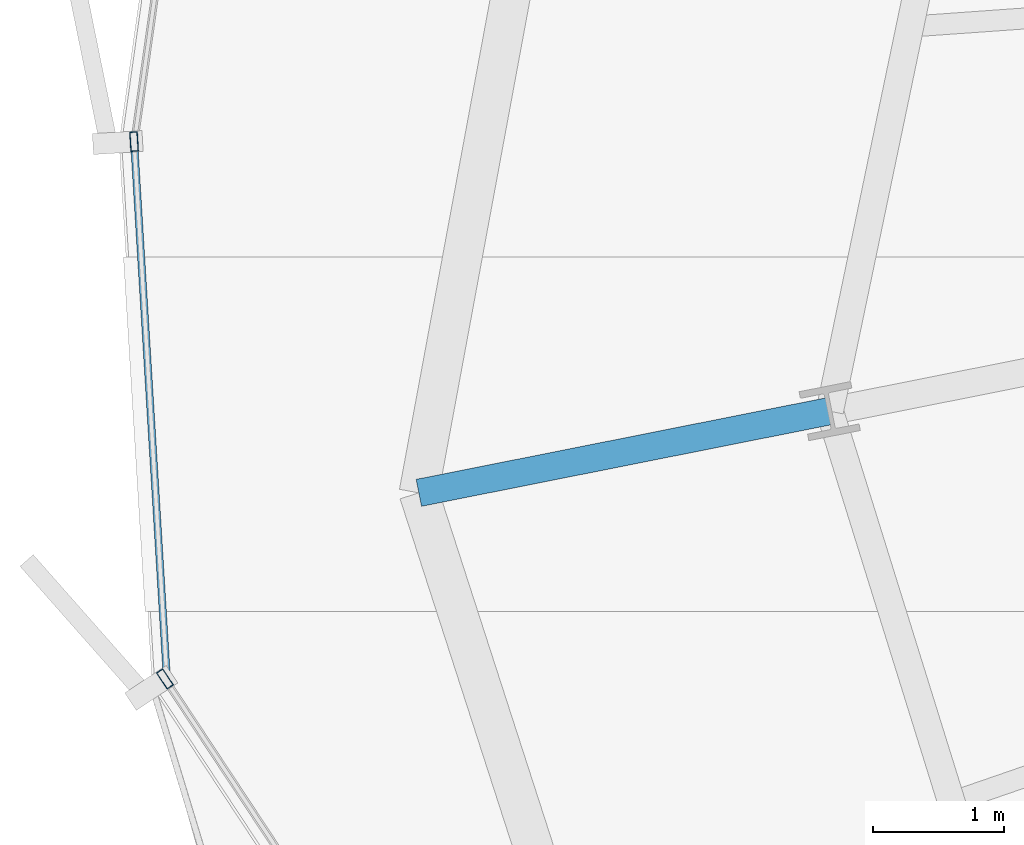
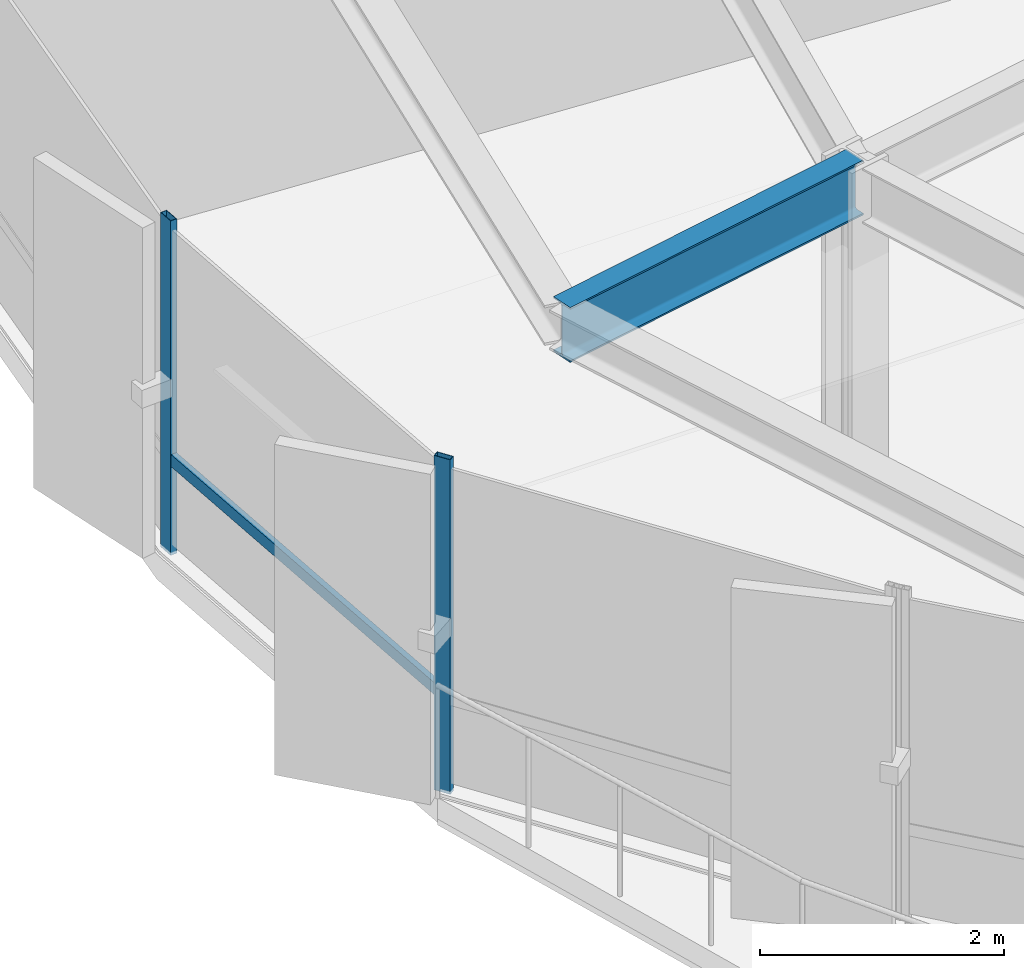
# One storey, part 7 of 35: 3 members, 1 beam, 1 element without a shape of its own.
"""IFC4 building model written with IfcOpenShell, lengths in metres."""

from ifc_helpers import new_model, si_unit, direction, frame, origin, origin_2d, place, context, subcontext, project, spatial, hollow_rectangle, i_section, extrude, source, transform, mapped, material, layer, layer_set, material_profile, profile_set, type_object, element, aggregate, save


model = new_model("IFC4")

# Units and contexts
model_context = context("Model", 3, precision=1e-05, world=origin(), true_north=direction((0.0, 1.0)))
body_context = subcontext(model_context, "Body", "Model", "MODEL_VIEW")
ifc_project = project(units=[si_unit("LENGTHUNIT", "METRE"), si_unit("AREAUNIT", "SQUARE_METRE"), si_unit("VOLUMEUNIT", "CUBIC_METRE"), si_unit("PLANEANGLEUNIT", "RADIAN"), si_unit("MASSUNIT", "GRAM", prefix="KILO"), si_unit("THERMODYNAMICTEMPERATUREUNIT", "KELVIN")], contexts=[model_context])

# Site, building, storey
site_placement = place(None, origin())
site = spatial("IfcSite", under=ifc_project, at=site_placement, CompositionType="ELEMENT")
building_placement = place(site_placement, origin())
building = spatial("IfcBuilding", under=site, at=building_placement, Name="Kethvar Cultural Tower", CompositionType="ELEMENT")
storey_placement = place(building_placement, frame((0.0, 0.0, 121.60009765625)))
storey = spatial("IfcBuildingStorey", under=building, at=storey_placement, Name="L30", CompositionType="ELEMENT", Elevation=121.60009765625)

# Beam
ifc_material_1 = material(Name="Steel S355J2", Category="steel")
ifc_material_profile_1 = material_profile(ifc_material_1, i_section(OverallWidth=0.2099609375, OverallDepth=0.550048828125, WebThickness=0.010986328125, FlangeThickness=0.01708984375, FilletRadius=0.02392578125, at=origin_2d()), Name="Steel S355J2 — IPE550")
ifc_profile_set_1 = profile_set([ifc_material_profile_1], Name="Steel S355J2 — IPE550")
beam_type = type_object("IfcBeamType", Name="BM-IPE550", PredefinedType="BEAM", material=ifc_profile_set_1)
shared_shape_1 = source(origin(), body_context, "Body", "SweptSolid", [
    extrude(i_section(OverallWidth=0.2099609375, OverallDepth=0.550048828125, WebThickness=0.010986328125, FlangeThickness=0.01708984375, FilletRadius=0.02392578125, at=origin_2d()), origin(), (0.0, 0.0, 1.0), 3.199951171875),
])
beam_placement = place(storey_placement, frame((24.185302734375, 23.3017578125, 3.072998046875), z_axis=(-0.980785550224, -0.195088965533, 0.0), x_axis=(0.195088965533, -0.980785550224, 0.0)))
element("IfcBeam", 1, at=beam_placement, inside=storey, type_object=beam_type, Name="L30 Perimeter Cantilever Beam RC-09", PredefinedType="BEAM", context=body_context, shape_type="MappedRepresentation", body=[
    mapped(shared_shape_1, transform((0.0, 0.0, 0.0), scale=1.0)),
])

# Curtain wall, members
ifc_material_2 = material(Name="Aluminium 6063-T6", Category="aluminium")
ifc_layer = layer(ifc_material_2, 0.179931640625, Name="Aluminium 6063-T6", Category="aluminium")
ifc_layer_set = layer_set([ifc_layer], Name="Aluminium 6063-T6 (180 mm)")
curtain_wall_type = type_object("IfcCurtainWallType", Name="CW-SYS-03-Z2", PredefinedType="NOTDEFINED", material=ifc_layer_set)
curtain_wall_placement = place(storey_placement, origin())
curtain_wall = element("IfcCurtainWall", 2, at=curtain_wall_placement, inside=storey, type_object=curtain_wall_type, Name="L30 Curtain Wall Run 03", PredefinedType="NOTDEFINED")
ifc_material_profile_2 = material_profile(ifc_material_2, hollow_rectangle(XDim=0.06005859375, YDim=0.14990234375, WallThickness=0.0048828125, at=origin_2d()), Name="Aluminium 6063-T6 — RHS150x60x5")
ifc_profile_set_2 = profile_set([ifc_material_profile_2], Name="Aluminium 6063-T6 — RHS150x60x5")
member_type_1 = type_object("IfcMemberType", Name="CW-SYS-03-Z2-MUL", PredefinedType="MULLION", material=ifc_profile_set_2)
shared_shape_2 = source(origin(), body_context, "Body", "SweptSolid", [
    extrude(hollow_rectangle(XDim=0.06005859375, YDim=0.14990234375, WallThickness=0.0048828125, at=origin_2d()), origin(), (0.0, 0.0, 1.0), 3.349853515625),
])
member_1_placement = place(storey_placement, frame((18.8720703125, 25.3603515625, 0.0), z_axis=(0.0, 0.0, 1.0), x_axis=(0.998135863768, 0.061031118787, 0.0)))
member_1 = element("IfcMember", 3, at=member_1_placement, type_object=member_type_1, Name="CW-L30-R03 Mullion 5", PredefinedType="MULLION", context=body_context, shape_type="MappedRepresentation", body=[
    mapped(shared_shape_2, transform((0.0, 0.0, 0.0), scale=1.0)),
])
member_2_placement = place(storey_placement, frame((19.107666015625, 21.256103515625, 0.0), z_axis=(0.0, 0.0, 1.0), x_axis=(0.834482587026, 0.551034311046, 0.0)))
member_2 = element("IfcMember", 4, at=member_2_placement, type_object=member_type_1, Name="CW-L30-R03 Mullion 6", PredefinedType="MULLION", context=body_context, shape_type="MappedRepresentation", body=[
    mapped(shared_shape_2, transform((0.0, 0.0, 0.0), scale=1.0)),
])
ifc_material_profile_3 = material_profile(ifc_material_2, hollow_rectangle(XDim=0.054931640625, YDim=0.1201171875, WallThickness=0.00390625, at=origin_2d()), Name="Aluminium 6063-T6 — RHS120x55x4")
ifc_profile_set_3 = profile_set([ifc_material_profile_3], Name="Aluminium 6063-T6 — RHS120x55x4")
member_type_2 = type_object("IfcMemberType", Name="CW-SYS-03-Z2-TRN", PredefinedType="USERDEFINED", material=ifc_profile_set_3)
shared_shape_3 = source(origin(), body_context, "Body", "SweptSolid", [
    extrude(hollow_rectangle(XDim=0.054931640625, YDim=0.1201171875, WallThickness=0.00390625, at=origin_2d()), origin(), (0.0, 0.0, 1.0), 4.081787109375),
])
member_3_placement = place(storey_placement, frame((18.874755859375, 25.317138671875, 0.949951171875), z_axis=(0.061007911563, -0.998137282505, 0.0), x_axis=(0.998137282505, 0.061007911563, 0.0)))
member_3 = element("IfcMember", 5, at=member_3_placement, type_object=member_type_2, Name="CW-L30-R03 Transom 5", ObjectType="TRANSOM", PredefinedType="USERDEFINED", context=body_context, shape_type="MappedRepresentation", body=[
    mapped(shared_shape_3, transform((0.0, 0.0, 0.0), scale=1.0)),
])
aggregate(curtain_wall, [member_1, member_2, member_3])

save(model, "model.ifc")
